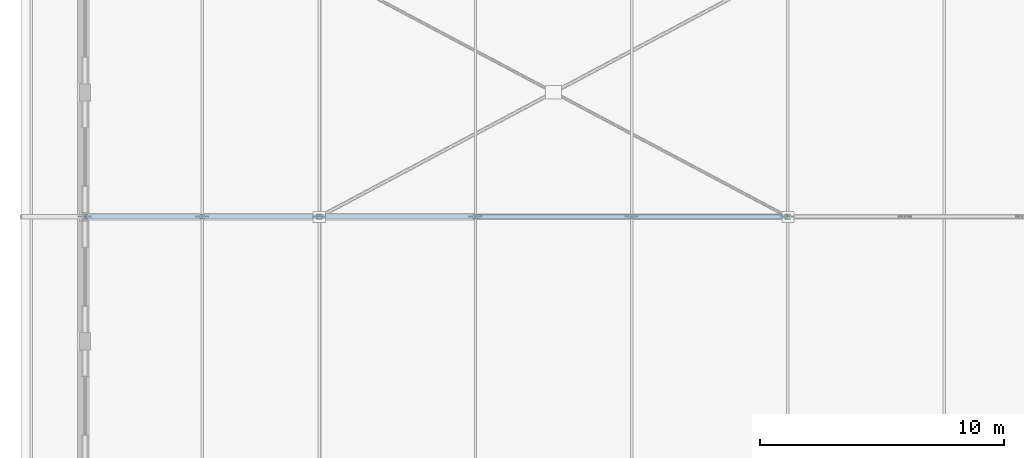
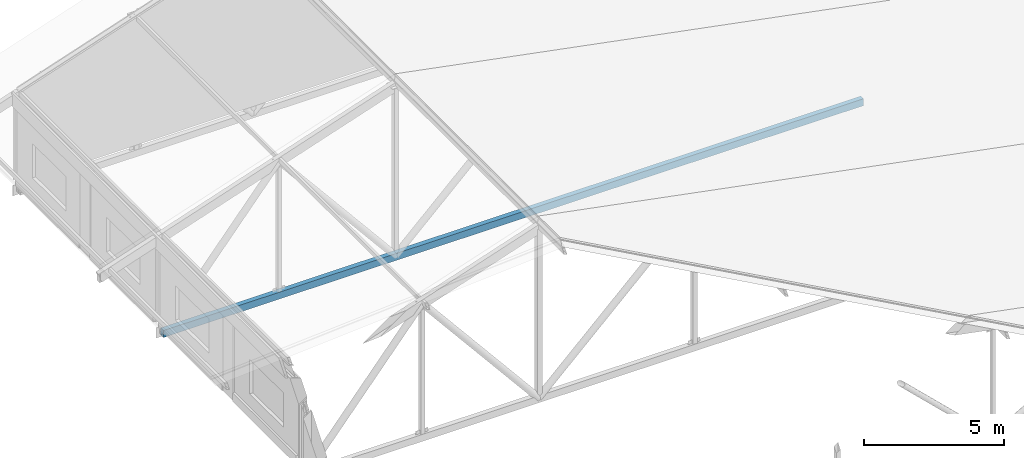
# One storey, part 70 of 200: 1 member.
"""IFC4 building model written with IfcOpenShell, lengths in metres."""

import ifcopenshell
import ifcopenshell.guid

model = None  # the IFC model being written
_history = None  # IfcOwnerHistory: only IFC2X3 demands one
_inside = {}  # id of a spatial element -> (the spatial element, [elements in it])
_under = {}  # id of a project, library or spatial element -> (it, [spatial elements below it])
_declared = {}  # id of a project -> (the project, [libraries it declares])
_typed = {}  # id of a type object -> (the type object, [elements of that type])
_made_of = {}  # id of a material, layer set ... -> (it, [elements and type objects made of it])


def new_model(schema):
    """Start an empty IFC model of exactly this schema.

    Asked for "IFC4X3", IfcOpenShell would pick the latest addendum, in which some entities
    have other attributes; the version numbers below select the first issue.
    IFC2X3 requires an IfcOwnerHistory on every rooted entity: one is made here for all.
    """
    global model, _history
    if schema == "IFC4X3":
        model = ifcopenshell.file(schema_version=(4, 3, 0, 0))
    else:
        model = ifcopenshell.file(schema=schema)
    _inside.clear()
    _under.clear()
    _declared.clear()
    _typed.clear()
    _made_of.clear()
    _history = None
    if model.schema == "IFC2X3":
        org = make("IfcOrganization", Name="unknown")
        user = make(
            "IfcPersonAndOrganization",
            ThePerson=make("IfcPerson", FamilyName="unknown"),
            TheOrganization=org,
        )
        app = make(
            "IfcApplication",
            ApplicationDeveloper=org,
            Version="unknown",
            ApplicationFullName="unknown",
            ApplicationIdentifier="unknown",
        )
        _history = make(
            "IfcOwnerHistory",
            OwningUser=user,
            OwningApplication=app,
            ChangeAction="ADDED",
            CreationDate=0,
        )
    return model


def make(cls, **values):
    """One entity of the class cls with the attributes given. An attribute that is None is left unset."""
    return model.create_entity(
        cls, **{name: value for name, value in values.items() if value is not None}
    )


def rooted(cls, **values):
    """An entity with a GlobalId (a new one), such as an element, a storey or a relation."""
    return make(cls, GlobalId=ifcopenshell.guid.new(), OwnerHistory=_history, **values)


def si_unit(unit_type, name, prefix=None):
    """IfcSIUnit, for example si_unit("LENGTHUNIT", "METRE", prefix="MILLI")."""
    return make("IfcSIUnit", UnitType=unit_type, Prefix=prefix, Name=name)


def assignment(units):
    """IfcUnitAssignment: the units of a project."""
    return None if units is None else make("IfcUnitAssignment", Units=units)


def point(xyz):
    """IfcCartesianPoint."""
    return None if xyz is None else make("IfcCartesianPoint", Coordinates=xyz)


def direction(xyz):
    """IfcDirection."""
    return None if xyz is None else make("IfcDirection", DirectionRatios=xyz)


def frame(location, z_axis=None, x_axis=None):
    """IfcAxis2Placement3D, a coordinate frame: its origin and axes. An axis left out is left unset."""
    return make(
        "IfcAxis2Placement3D",
        Location=point(location),
        Axis=direction(z_axis),
        RefDirection=direction(x_axis),
    )


def frame_2d(location, x_axis=None):
    """IfcAxis2Placement2D, a coordinate frame in the plane: its origin and x axis."""
    return make(
        "IfcAxis2Placement2D", Location=point(location), RefDirection=direction(x_axis)
    )


def origin():
    """The frame at (0, 0, 0) with its axes left unset."""
    return frame((0.0, 0.0, 0.0))


def origin_2d():
    """The frame at (0, 0) in the plane with its x axis left unset."""
    return frame_2d((0.0, 0.0))


def place(relative_to, where):
    """IfcLocalPlacement: puts the frame where relative to a parent placement (None: the world)."""
    return make(
        "IfcLocalPlacement", PlacementRelTo=relative_to, RelativePlacement=where
    )


def context(
    kind, dimensions, precision=None, world=None, true_north=None, identifier=None
):
    """IfcGeometricRepresentationContext, for example the 3D "Model" context."""
    return make(
        "IfcGeometricRepresentationContext",
        ContextIdentifier=identifier,
        ContextType=kind,
        CoordinateSpaceDimension=dimensions,
        Precision=precision,
        WorldCoordinateSystem=world,
        TrueNorth=true_north,
    )


def subcontext(parent, identifier, kind, view, scale=None):
    """IfcGeometricRepresentationSubContext, for example "Body" below "Model"."""
    return make(
        "IfcGeometricRepresentationSubContext",
        ContextIdentifier=identifier,
        ContextType=kind,
        ParentContext=parent,
        TargetScale=scale,
        TargetView=view,
    )


def project(units=None, contexts=None):
    """IfcProject with its units and contexts."""
    return rooted(
        "IfcProject",
        Name="project",
        RepresentationContexts=contexts,
        UnitsInContext=assignment(units),
    )


def spatial(cls, under=None, at=None, **own):
    """A site, building, storey or space (cls), placed at a placement, below another one or the project."""
    s = rooted(cls, ObjectPlacement=at, **own)
    if under is not None:
        _under.setdefault(under.id(), (under, []))[1].append(s)
    return s


def profile(cls, at=None, kind="AREA", **sizes):
    """A parametric profile (cls). Its sizes go by their IFC names, for example OverallWidth=200.0."""
    return make(cls, ProfileType=kind, Position=at, **sizes)


def hollow_rectangle(**sizes):
    """IfcRectangleHollowProfileDef."""
    return profile("IfcRectangleHollowProfileDef", **sizes)


def extrude(swept, where, along, depth):
    """IfcExtrudedAreaSolid: the profile swept, set in the frame where, extruded along a direction by depth."""
    return make(
        "IfcExtrudedAreaSolid",
        SweptArea=swept,
        Position=where,
        ExtrudedDirection=direction(along),
        Depth=depth,
    )


def shape(context_of_items, identifier, shape_type, items):
    """IfcShapeRepresentation: the items that make up one representation, for example the "Body"."""
    return make(
        "IfcShapeRepresentation",
        ContextOfItems=context_of_items,
        RepresentationIdentifier=identifier,
        RepresentationType=shape_type,
        Items=items,
    )


def material(Name=None, Category=None):
    """IfcMaterial."""
    return make("IfcMaterial", Name=Name, Category=Category)


def material_profile(
    of_material, cross_section, Name=None, Category=None, Priority=None
):
    """IfcMaterialProfile: a cross section and its material."""
    return make(
        "IfcMaterialProfile",
        Name=Name,
        Material=of_material,
        Profile=cross_section,
        Priority=Priority,
        Category=Category,
    )


def profile_set(profiles, Name=None, composite=None):
    """IfcMaterialProfileSet."""
    return make(
        "IfcMaterialProfileSet",
        Name=Name,
        MaterialProfiles=profiles,
        CompositeProfile=composite,
    )


def made_of(thing, what):
    """Note that an element or type object is made of a material, layer set ...; save() writes the relation."""
    if what is not None:
        _made_of.setdefault(what.id(), (what, []))[1].append(thing)
    return thing


def type_object(cls, material=None, **own):
    """A type object (cls), such as IfcWallType, which elements share."""
    return made_of(rooted(cls, **own), material)


def element(
    cls,
    number,
    at=None,
    inside=None,
    cuts=None,
    type_object=None,
    material=None,
    context=None,
    identifier="Body",
    shape_type=None,
    held_by="IfcProductDefinitionShape",
    body=None,
    shapes=None,
    **own,
):
    """One element of the class cls, such as IfcWall. Its Tag is "e" and its number.

    at: its placement. inside: the storey or other place that contains it. cuts: it is an
    opening in that element (IfcRelVoidsElement). A single representation is given by context,
    identifier, shape_type and body (its items); several are given by shapes. held_by: the class
    of the entity that holds the representations. save() writes the other relations.
    """
    e = rooted(cls, Tag="e%d" % number, ObjectPlacement=at, **own)
    if body is not None:
        shapes = [shape(context, identifier, shape_type, body)]
    if shapes is not None:
        e.Representation = make(held_by, Representations=shapes)
    if inside is not None:
        _inside.setdefault(inside.id(), (inside, []))[1].append(e)
    if cuts is not None:
        rooted(
            "IfcRelVoidsElement", RelatingBuildingElement=cuts, RelatedOpeningElement=e
        )
    if type_object is not None:
        _typed.setdefault(type_object.id(), (type_object, []))[1].append(e)
    return made_of(e, material)


def aggregate(whole, parts):
    """IfcRelAggregates: a whole, such as a stair, and the parts it consists of."""
    return rooted("IfcRelAggregates", RelatingObject=whole, RelatedObjects=parts)


def save(model, path):
    """Write the relations noted so far, then the file.

    IfcRelAggregates (storeys below a building ...), IfcRelContainedInSpatialStructure (elements
    in a storey), IfcRelDefinesByType, IfcRelAssociatesMaterial and IfcRelDeclares: one each for
    every whole, place, type object, material and project.
    """
    for whole, parts in _under.values():
        aggregate(whole, parts)
    for where, things in _inside.values():
        rooted(
            "IfcRelContainedInSpatialStructure",
            RelatedElements=things,
            RelatingStructure=where,
        )
    for kind, things in _typed.values():
        rooted("IfcRelDefinesByType", RelatedObjects=things, RelatingType=kind)
    for what, things in _made_of.values():
        rooted("IfcRelAssociatesMaterial", RelatedObjects=things, RelatingMaterial=what)
    for by, libraries in _declared.values():
        rooted("IfcRelDeclares", RelatingContext=by, RelatedDefinitions=libraries)
    model.write(path)


model = new_model("IFC4")

# Units and contexts
model_context = context("Model", 3, precision=1e-05, world=origin(), true_north=direction((0.0, 1.0)))
body_context = subcontext(model_context, "Body", "Model", "MODEL_VIEW")
ifc_project = project(units=[si_unit("LENGTHUNIT", "METRE"), si_unit("AREAUNIT", "SQUARE_METRE"), si_unit("VOLUMEUNIT", "CUBIC_METRE"), si_unit("PLANEANGLEUNIT", "RADIAN"), si_unit("MASSUNIT", "GRAM", prefix="KILO")], contexts=[model_context])

# Site, building, storey
site_placement = place(None, origin())
site = spatial("IfcSite", under=ifc_project, at=site_placement, CompositionType="ELEMENT")
building_placement = place(site_placement, origin())
building = spatial("IfcBuilding", under=site, at=building_placement, Name="Vondelvale Polytechnic", CompositionType="ELEMENT")
storey_placement = place(building_placement, frame((0.0, 0.0, 13.800048828125)))
storey = spatial("IfcBuildingStorey", under=building, at=storey_placement, Name="L03", CompositionType="ELEMENT", Elevation=13.800048828125)

# Member
ifc_material = material(Name="Steel C350L0 (fy = 350 MPa)", Category="steel")
ifc_material_profile = material_profile(ifc_material, hollow_rectangle(XDim=0.199951171875, YDim=0.300048828125, WallThickness=0.008056640625, at=origin_2d()), Name="300x200x8.0RHS")
ifc_profile_set = profile_set([ifc_material_profile], Name="Steel C350L0 (fy = 350 MPa)")
member_type = type_object("IfcMemberType", Name="ROOF TRUSS BOT CHORD 300RHS", PredefinedType="CHORD", material=ifc_profile_set)
member_placement = place(storey_placement, frame((0.0, 112.199951171875, -0.420166015625), z_axis=(1.0, 0.0, 0.0), x_axis=(0.0, 1.0, 0.0)))
element("IfcMember", 1, at=member_placement, inside=storey, type_object=member_type, Name="ROOF TRUSS TR-07 bottom chord 1", PredefinedType="CHORD", context=body_context, shape_type="SweptSolid", body=[
    extrude(hollow_rectangle(XDim=0.199951171875, YDim=0.300048828125, WallThickness=0.008056640625, at=origin_2d()), origin(), (0.0, 0.0, 1.0), 28.800048828125),
])

save(model, "model.ifc")
